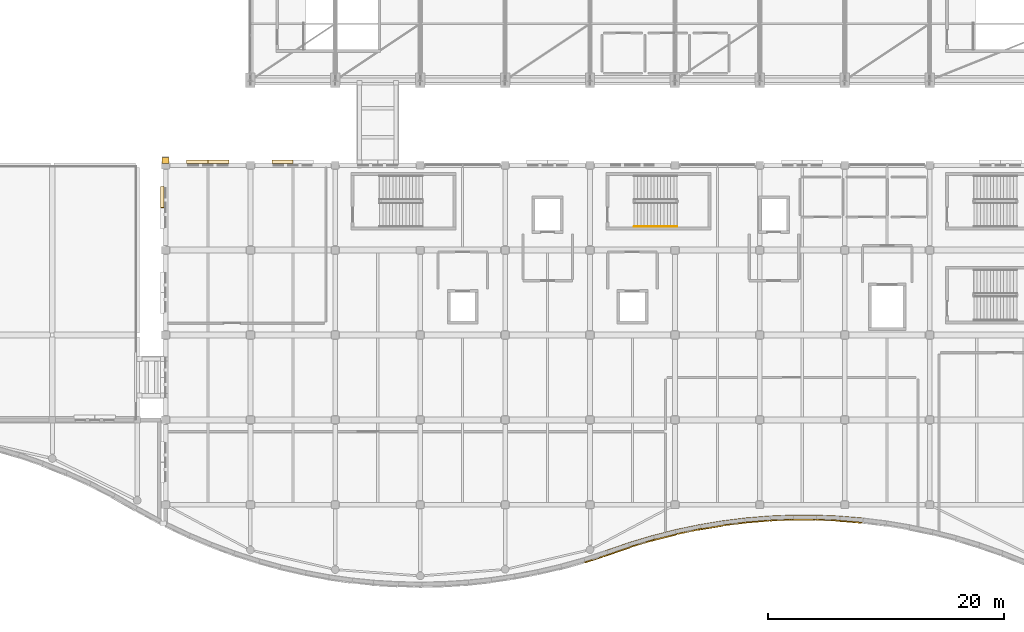
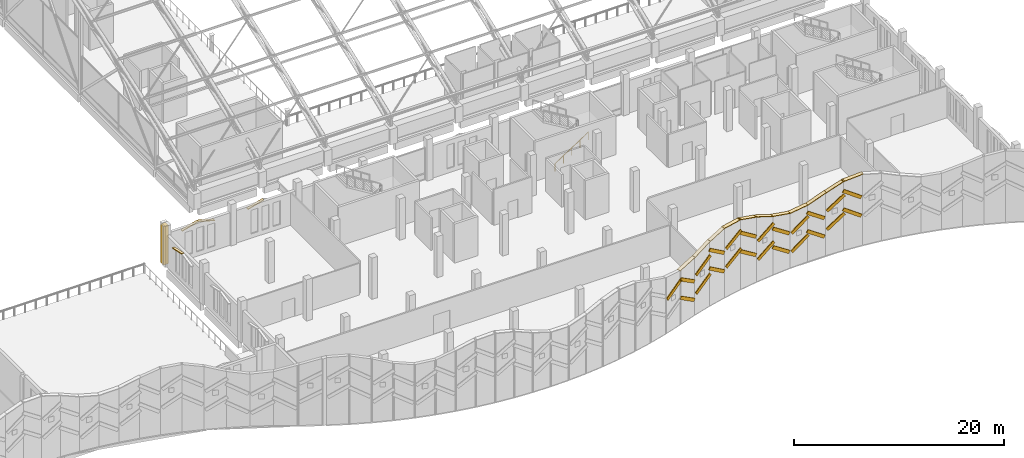
# One storey, part 111 of 116: 39 coverings, 1 railing.
"""IFC4 building model written with IfcOpenShell, lengths in metres."""

from ifc_helpers import new_model, si_unit, direction, frame, origin, origin_2d, place, context, subcontext, project, spatial, polyline, circle, outline, extrude, material, layer, layer_set, type_object, element, save


model = new_model("IFC4")

# Units and contexts
model_context = context("Model", 3, precision=1e-05, world=origin(), true_north=direction((0.0, 1.0)))
body_context = subcontext(model_context, "Body", "Model", "MODEL_VIEW")
ifc_project = project(units=[si_unit("LENGTHUNIT", "METRE"), si_unit("AREAUNIT", "SQUARE_METRE"), si_unit("VOLUMEUNIT", "CUBIC_METRE"), si_unit("PLANEANGLEUNIT", "RADIAN"), si_unit("MASSUNIT", "GRAM", prefix="KILO")], contexts=[model_context])

# Site, building, storey
site_placement = place(None, origin())
site = spatial("IfcSite", under=ifc_project, at=site_placement, CompositionType="ELEMENT")
building_placement = place(site_placement, origin())
building = spatial("IfcBuilding", under=site, at=building_placement, Name="Cendralis Lancet Convention Centre", CompositionType="ELEMENT")
storey_placement = place(building_placement, frame((0.0, 0.0, 15.0)))
storey = spatial("IfcBuildingStorey", under=building, at=storey_placement, Name="L03", CompositionType="ELEMENT", Elevation=15.0)

# Coverings
ifc_material_1 = material(Name="Warm buff sandstone chevron cassette", Category="masonry")
ifc_layer_1 = layer(ifc_material_1, 0.06005859375, Name="Warm buff sandstone chevron cassette")
ifc_layer_set_1 = layer_set([ifc_layer_1], Name="Warm buff sandstone chevron cassette")
covering_type_1 = type_object("IfcCoveringType", Name="ARC-CV-CLAD1", PredefinedType="CLADDING", material=ifc_layer_set_1)
covering_1_placement = place(storey_placement, frame((169.539306640625, 2.909423828125, 3.31201171875), z_axis=(0.514522159667, 0.17754637904, 0.838894648035), x_axis=(0.793084635802, 0.273424590897, -0.544293811786)))
element("IfcCovering", 1, at=covering_1_placement, inside=storey, type_object=covering_type_1, Name="L03 Diagonal Stone Chevron Relief CL-ST1 #0509", PredefinedType="CLADDING", context=body_context, shape_type="SweptSolid", body=[
    extrude(outline(polyline([(0.0, 0.0), (2.3885056195295804, 1.9618638311125203e-16), (2.388480090784282, 0.1100218552492794), (-2.552874529859056e-05, 0.11002185524927931), (0.0, 0.0)])), origin(), (0.0, 0.0, -1.0), 0.360107421875),
])
covering_2_placement = place(storey_placement, frame((171.49951171875, 3.58349609375, 2.60009765625), z_axis=(-0.526531417747, -0.157837543052, 0.835375350443), x_axis=(0.80020128206, 0.239853881442, 0.549679928455)))
element("IfcCovering", 2, at=covering_2_placement, inside=storey, type_object=covering_type_1, Name="L03 Diagonal Stone Chevron Relief CL-ST1 #0515", PredefinedType="CLADDING", context=body_context, shape_type="SweptSolid", body=[
    extrude(outline(polyline([(0.0, 0.0), (2.3645596781375353, 2.3093506273941244e-16), (2.364655115490347, 0.11007054501933335), (-9.992428831576833e-05, 0.11014064466524069), (0.0, 0.0)])), origin(), (0.0, 0.0, -1.0), 0.360107421875),
])
covering_3_placement = place(storey_placement, frame((173.4580078125, 4.1689453125, 4.595947265625), z_axis=(0.53729207941, 0.13663097552, 0.832255488376), x_axis=(0.806641328387, 0.204887729162, -0.554392267061)))
element("IfcCovering", 3, at=covering_3_placement, inside=storey, type_object=covering_type_1, Name="L03 Diagonal Stone Chevron Relief CL-ST1 #0521", PredefinedType="CLADDING", context=body_context, shape_type="SweptSolid", body=[
    extrude(outline(polyline([(0.0, 0.0), (2.3450231653887803, 4.9087253359281213e-17), (2.3449728388418096, 0.10984075095593482), (-3.0512871817059417e-07, 0.11007737259819038), (0.0, 0.0)])), origin(), (0.0, 0.0, -1.0), 0.360107421875),
])
covering_4_placement = place(storey_placement, frame((175.41650390625, 4.664794921875, 3.626953125), z_axis=(-0.546472617656, -0.114493130539, 0.829613766286), x_axis=(0.812035786702, 0.169873194888, 0.558337692418)))
element("IfcCovering", 4, at=covering_4_placement, inside=storey, type_object=covering_type_1, Name="L03 Diagonal Stone Chevron Relief CL-ST1 #0527", PredefinedType="CLADDING", context=body_context, shape_type="SweptSolid", body=[
    extrude(outline(polyline([(0.0, 0.0), (2.3283075976710568, 5.64327230778705e-17), (2.3283995556212016, 0.11022286772289225), (-0.00014776592231336913, 0.11003391817299688), (0.0, 0.0)])), origin(), (0.0, 0.0, -1.0), 0.360107421875),
])
covering_5_placement = place(storey_placement, frame((177.375, 5.072998046875, 4.6689453125), z_axis=(0.553593347687, 0.092680234613, 0.827613907271), x_axis=(0.816436027079, 0.13556318949, -0.561297457097)))
element("IfcCovering", 5, at=covering_5_placement, inside=storey, type_object=covering_type_1, Name="L03 Diagonal Stone Chevron Relief CL-ST1 #0533", PredefinedType="CLADDING", context=body_context, shape_type="SweptSolid", body=[
    extrude(outline(polyline([(0.0, 0.0), (2.3160498658322064, -1.8865117801247777e-17), (2.3160277352949628, 0.11013446218138472), (-0.00022145573916698344, 0.11017455377341297), (0.0, 0.0)])), origin(), (0.0, 0.0, -1.0), 0.360107421875),
])
covering_6_placement = place(storey_placement, frame((179.334228515625, 5.39697265625, 2.708984375), z_axis=(-0.559621487397, -0.069483204811, 0.825830415456), x_axis=(0.81961520542, 0.101128219842, 0.563918432218)))
element("IfcCovering", 6, at=covering_6_placement, inside=storey, type_object=covering_type_1, Name="L03 Diagonal Stone Chevron Relief CL-ST1 #0539", PredefinedType="CLADDING", context=body_context, shape_type="SweptSolid", body=[
    extrude(outline(polyline([(0.0, 0.0), (2.305484568228546, -2.1358782797964437e-17), (2.3053151011303066, 0.1099837772044363), (3.063427027140235e-05, 0.10995382173086979), (0.0, 0.0)])), origin(), (0.0, 0.0, -1.0), 0.360107421875),
])
covering_7_placement = place(storey_placement, frame((181.29248046875, 5.63720703125, 3.412109375), z_axis=(0.56372015037, 0.04582580287, 0.824693632726), x_axis=(0.821922877014, 0.067546590766, -0.565579563206)))
element("IfcCovering", 7, at=covering_7_placement, inside=storey, type_object=covering_type_1, Name="L03 Diagonal Stone Chevron Relief CL-ST1 #0545", PredefinedType="CLADDING", context=body_context, shape_type="SweptSolid", body=[
    extrude(outline(polyline([(0.0, 0.0), (2.29871385522789, -4.380176776841438e-17), (2.2986936581586126, 0.10999067963624164), (0.00018046769561864875, 0.10997075205301722), (0.0, 0.0)])), origin(), (0.0, 0.0, -1.0), 0.360107421875),
])
covering_8_placement = place(storey_placement, frame((183.250732421875, 5.796875, 1.9990234375), z_axis=(-0.566129438513, -0.02327421025, 0.823987724415), x_axis=(0.823310188219, 0.033409062922, 0.566607596569)))
element("IfcCovering", 8, at=covering_8_placement, inside=storey, type_object=covering_type_1, Name="L03 Diagonal Stone Chevron Relief CL-ST1 #0551", PredefinedType="CLADDING", context=body_context, shape_type="SweptSolid", body=[
    extrude(outline(polyline([(0.0, 0.0), (2.294543489727777, -1.6263032587282567e-18), (2.2943948531893668, 0.10996104298841451), (5.23669255104919e-05, 0.1099511025582232), (0.0, 0.0)])), origin(), (0.0, 0.0, -1.0), 0.360107421875),
])
covering_9_placement = place(storey_placement, frame((185.208984375, 5.875, 3.757080078125), z_axis=(0.56694897815, 0.0, 0.823752909661), x_axis=(0.823752909661, 0.0, -0.56694897815)))
element("IfcCovering", 9, at=covering_9_placement, inside=storey, type_object=covering_type_1, Name="L03 Diagonal Stone Chevron Relief CL-ST1 #0557", PredefinedType="CLADDING", context=body_context, shape_type="SweptSolid", body=[
    extrude(outline(polyline([(0.0, 0.0), (2.293061418626595, 0.0), (2.293061418626595, 0.110107421875), (0.0, 0.110107421875), (0.0, 0.0)])), origin(), (0.0, 0.0, -1.0), 0.360107421875),
])
covering_10_placement = place(storey_placement, frame((187.1669921875, 5.87353515625, 3.174072265625), z_axis=(-0.565914812039, 0.023265386717, 0.824135393789), x_axis=(0.823423354599, -0.034251680165, 0.566392797894)))
element("IfcCovering", 10, at=covering_10_placement, inside=storey, type_object=covering_type_1, Name="L03 Diagonal Stone Chevron Relief CL-ST1 #0563", PredefinedType="CLADDING", context=body_context, shape_type="SweptSolid", body=[
    extrude(outline(polyline([(0.0, 0.0), (2.295212616638772, -1.9949319973733282e-17), (2.295269205423734, 0.10996112890130944), (-0.0001444423074694356, 0.10995102016854641), (0.0, 0.0)])), origin(), (0.0, 0.0, -1.0), 0.360107421875),
])
covering_11_placement = place(storey_placement, frame((189.1259765625, 5.79052734375, 4.9599609375), z_axis=(0.563628151376, -0.046445972385, 0.824721818934), x_axis=(0.821916092115, -0.06797083589, -0.565538595492)))
element("IfcCovering", 11, at=covering_11_placement, inside=storey, type_object=covering_type_1, Name="L03 Diagonal Stone Chevron Relief CL-ST1 #0569", PredefinedType="CLADDING", context=body_context, shape_type="SweptSolid", body=[
    extrude(outline(polyline([(0.0, 0.0), (2.298780027549156, -6.288372600415926e-18), (2.2987536579430996, 0.10999069985551012), (-2.6369606056305013e-05, 0.10999069985551013), (0.0, 0.0)])), origin(), (0.0, 0.0, -1.0), 0.360107421875),
])
covering_12_placement = place(storey_placement, frame((133.800048828125, 36.419921875, 3.27001953125), z_axis=(-0.261446137658, 0.0, 0.965218067125), x_axis=(0.0, -1.0, 0.0)))
element("IfcCovering", 12, at=covering_12_placement, inside=storey, type_object=covering_type_1, Name="L03 Gothic Pointed Lancet Hood-Mould #0375L", PredefinedType="CLADDING", context=body_context, shape_type="SweptSolid", body=[
    extrude(outline(polyline([(0.0, 0.0), (0.284912109375, 0.0), (0.284912109375, 1.854543676158746), (0.0, 1.854543676158746), (0.0, 0.0)])), origin(), (0.0, 0.0, -1.0), 0.090087890625),
])
covering_13_placement = place(storey_placement, frame((135.610107421875, 36.419921875, 3.7548828125), z_axis=(0.261479362569, 0.0, 0.965209066965), x_axis=(0.0, -1.0, 0.0)))
element("IfcCovering", 13, at=covering_13_placement, inside=storey, type_object=covering_type_1, Name="L03 Gothic Pointed Lancet Hood-Mould #0376R", PredefinedType="CLADDING", context=body_context, shape_type="SweptSolid", body=[
    extrude(outline(polyline([(0.0, 0.0), (0.284912109375, 0.0), (0.284912109375, 1.8543080283151592), (0.0, 1.8543080283151592), (0.0, 0.0)])), origin(), (0.0, 0.0, -1.0), 0.090087890625),
])
covering_14_placement = place(storey_placement, frame((141.0400390625, 36.419921875, 3.27001953125), z_axis=(-0.267005870064, 0.0, 0.963694902628), x_axis=(0.0, -1.0, 0.0)))
element("IfcCovering", 14, at=covering_14_placement, inside=storey, type_object=covering_type_1, Name="L03 Gothic Pointed Lancet Hood-Mould #0377L", PredefinedType="CLADDING", context=body_context, shape_type="SweptSolid", body=[
    extrude(outline(polyline([(0.0, 0.0), (0.284912109375, 0.0), (0.284912109375, 1.8159274218714019), (0.0, 1.8159274218714019), (0.0, 0.0)])), origin(), (0.0, 0.0, -1.0), 0.090087890625),
])
covering_15_placement = place(storey_placement, frame((131.580078125, 32.409912109375, 3.655029296875), z_axis=(0.0, 0.210275726475, 0.977642122075), x_axis=(1.0, 0.0, 0.0)))
element("IfcCovering", 15, at=covering_15_placement, inside=storey, type_object=covering_type_1, Name="L03 Gothic Pointed Lancet Hood-Mould #0404R", PredefinedType="CLADDING", context=body_context, shape_type="SweptSolid", body=[
    extrude(outline(polyline([(0.0, 0.0), (0.284912109375, 0.0), (0.284912109375, 1.830975795826503), (0.0, 1.830975795826503), (0.0, 0.0)])), origin(), (0.0, 0.0, -1.0), 0.090087890625),
])
covering_16_placement = place(storey_placement, origin())
element("IfcCovering", 16, at=covering_16_placement, inside=storey, type_object=covering_type_1, Name="Gothic Stepped Stone Buttress Shaft #0080", PredefinedType="CLADDING", context=body_context, shape_type="SweptSolid", body=[
    extrude(outline(polyline([(132.280029296875, 36.659912109375), (131.719970703125, 36.659912109375), (131.719970703125, 36.1298828125), (132.280029296875, 36.1298828125), (132.280029296875, 36.659912109375)])), origin(), (0.0, 0.0, 1.0), 4.5),
])
ifc_material_2 = material(Name="Dark Andean slate chevron cassette", Category="masonry")
ifc_layer_2 = layer(ifc_material_2, 0.06005859375, Name="Dark Andean slate chevron cassette")
ifc_layer_set_2 = layer_set([ifc_layer_2], Name="Dark Andean slate chevron cassette")
covering_type_2 = type_object("IfcCoveringType", Name="ARC-CV-CLAD2", PredefinedType="CLADDING", material=ifc_layer_set_2)
covering_17_placement = place(storey_placement, frame((167.566162109375, 2.265380859375, 4.0849609375), z_axis=(-0.520138372777, -0.169333262549, 0.83712742122), x_axis=(0.795856404909, 0.259605417438, 0.547007870147)))
element("IfcCovering", 17, at=covering_17_placement, inside=storey, type_object=covering_type_2, Name="L03 Diagonal Stone Chevron Relief CL-ST2 #0504", PredefinedType="CLADDING", context=body_context, shape_type="SweptSolid", body=[
    extrude(outline(polyline([(0.0, 0.0), (2.378374450188147, 1.1275702593849246e-17), (2.378493365808535, 0.10986456487655995), (-1.2005030849963905e-05, 0.11017235355925142), (0.0, 0.0)])), origin(), (0.0, 0.0, -1.0), 0.360107421875),
])
covering_18_placement = place(storey_placement, frame((169.40625, 2.911376953125, 6.298583984375), z_axis=(-0.180038039811, -0.06211644547, 0.981696415101), x_axis=(0.92812349848, 0.319866576928, 0.190452473164)))
element("IfcCovering", 18, at=covering_18_placement, inside=storey, type_object=covering_type_2, Name="Wave Ribbon Sinusoidal Slate Coping E-019", PredefinedType="CLADDING", context=body_context, shape_type="SweptSolid", body=[
    extrude(outline(polyline([(0.0, 0.0), (2.2958791351480508, 4.4049101389012635e-17), (2.295738942627957, 0.4199358326751765), (-0.00014019252009375704, 0.4199358326751763), (0.0, 0.0)])), origin(), (0.0, 0.0, -1.0), 0.06005859375),
])
covering_19_placement = place(storey_placement, frame((169.539306640625, 2.909423828125, 5.4619140625), z_axis=(0.514454155494, 0.177522912811, 0.838941319355), x_axis=(0.793128758512, 0.273439802683, -0.544221872705)))
element("IfcCovering", 19, at=covering_19_placement, inside=storey, type_object=covering_type_2, Name="L03 Diagonal Stone Chevron Relief CL-ST2 #0510", PredefinedType="CLADDING", context=body_context, shape_type="SweptSolid", body=[
    extrude(outline(polyline([(0.0, 0.0), (2.388372744079569, -1.5577274713185485e-16), (2.3883472139139967, 0.11002185524894965), (-2.5530165572509866e-05, 0.11002185524894975), (0.0, 0.0)])), origin(), (0.0, 0.0, -1.0), 0.360107421875),
])
covering_20_placement = place(storey_placement, frame((171.36669921875, 3.5908203125, 6.680419921875), z_axis=(-0.341205206958, -0.10227874529, 0.934407868656), x_axis=(0.895073736671, 0.268255607978, 0.356204905512)))
element("IfcCovering", 20, at=covering_20_placement, inside=storey, type_object=covering_type_2, Name="Wave Ribbon Sinusoidal Slate Coping E-020", PredefinedType="CLADDING", context=body_context, shape_type="SweptSolid", body=[
    extrude(outline(polyline([(0.0, 0.0), (2.3817433694679315, 1.0740377771184528e-17), (2.3817235491634996, 0.42003115582492845), (-1.982030443216376e-05, 0.4200311558249284), (0.0, 0.0)])), origin(), (0.0, 0.0, -1.0), 0.06005859375),
])
covering_21_placement = place(storey_placement, frame((171.49951171875, 3.58349609375, 4.75), z_axis=(-0.526600427836, -0.157858230104, 0.835327940746), x_axis=(0.800155868582, 0.239840269118, 0.549751972514)))
element("IfcCovering", 21, at=covering_21_placement, inside=storey, type_object=covering_type_2, Name="L03 Diagonal Stone Chevron Relief CL-ST2 #0516", PredefinedType="CLADDING", context=body_context, shape_type="SweptSolid", body=[
    extrude(outline(polyline([(0.0, 0.0), (2.364693891677105, 2.6156377411212794e-18), (2.364789323613613, 0.11007054501910996), (-9.991861734520019e-05, 0.11014064466546918), (0.0, 0.0)])), origin(), (0.0, 0.0, -1.0), 0.360107421875),
])
covering_22_placement = place(storey_placement, frame((173.32568359375, 4.181884765625, 7.4619140625), z_axis=(-0.285750762238, -0.072509041648, 0.955556874686), x_axis=(0.926172378988, 0.235146053658, 0.294806814456)))
element("IfcCovering", 22, at=covering_22_placement, inside=storey, type_object=covering_type_2, Name="Wave Ribbon Sinusoidal Slate Coping E-021", PredefinedType="CLADDING", context=body_context, shape_type="SweptSolid", body=[
    extrude(outline(polyline([(0.0, 0.0), (2.30387896563342, -6.436772772774879e-17), (2.3039320796804463, 0.4198805644217821), (5.311404702644518e-05, 0.4198805644217822), (0.0, 0.0)])), origin(), (0.0, 0.0, -1.0), 0.06005859375),
])
covering_23_placement = place(storey_placement, frame((173.4580078125, 4.1689453125, 6.74609375), z_axis=(0.53729207941, 0.13663097552, 0.832255488376), x_axis=(0.806641328387, 0.204887729162, -0.554392267061)))
element("IfcCovering", 23, at=covering_23_placement, inside=storey, type_object=covering_type_2, Name="L03 Diagonal Stone Chevron Relief CL-ST2 #0522", PredefinedType="CLADDING", context=body_context, shape_type="SweptSolid", body=[
    extrude(outline(polyline([(0.0, 0.0), (2.3450231653887803, 4.9087253359281213e-17), (2.3449728388418096, 0.10984075095593482), (-3.0512871817059417e-07, 0.11007737259819038), (0.0, 0.0)])), origin(), (0.0, 0.0, -1.0), 0.360107421875),
])
covering_24_placement = place(storey_placement, frame((175.284912109375, 4.683349609375, 8.10888671875), z_axis=(-0.020585538554, -0.004315139614, 0.999778783118), x_axis=(0.978591313179, 0.204735578269, 0.021032944653)))
element("IfcCovering", 24, at=covering_24_placement, inside=storey, type_object=covering_type_2, Name="Wave Ribbon Sinusoidal Slate Coping E-022", PredefinedType="CLADDING", context=body_context, shape_type="SweptSolid", body=[
    extrude(outline(polyline([(0.0, 0.0), (2.1822164351090816, -6.069838100024316e-18), (2.1820533443504253, 0.4200683731208305), (-0.00016309075865614253, 0.4200683731208305), (0.0, 0.0)])), origin(), (0.0, 0.0, -1.0), 0.06005859375),
])
covering_25_placement = place(storey_placement, frame((175.41650390625, 4.664794921875, 5.777099609375), z_axis=(-0.546401979585, -0.114478330944, 0.829662333995), x_axis=(0.812083325348, 0.169883139696, 0.558265520643)))
element("IfcCovering", 25, at=covering_25_placement, inside=storey, type_object=covering_type_2, Name="L03 Diagonal Stone Chevron Relief CL-ST2 #0528", PredefinedType="CLADDING", context=body_context, shape_type="SweptSolid", body=[
    extrude(outline(polyline([(0.0, 0.0), (2.3281712865492166, -7.155734338404329e-17), (2.3282632498826463, 0.11022286772603472), (-0.000147774573075396, 0.11003391816902637), (0.0, 0.0)])), origin(), (0.0, 0.0, -1.0), 0.360107421875),
])
covering_26_placement = place(storey_placement, frame((177.244140625, 5.09716796875, 8.18017578125), z_axis=(0.268439351262, 0.04452897901, 0.962266846941), x_axis=(0.949285281537, 0.157527582451, -0.272107543123)))
element("IfcCovering", 26, at=covering_26_placement, inside=storey, type_object=covering_type_2, Name="Wave Ribbon Sinusoidal Slate Coping E-023", PredefinedType="CLADDING", context=body_context, shape_type="SweptSolid", body=[
    extrude(outline(polyline([(0.0, 0.0), (2.251909041913493, -6.310056643865636e-17), (2.252049457759969, 0.4199481087369005), (-9.13432554620619e-05, 0.4199880746160869), (0.0, 0.0)])), origin(), (0.0, 0.0, -1.0), 0.06005859375),
])
covering_27_placement = place(storey_placement, frame((177.375, 5.072998046875, 6.819091796875), z_axis=(0.553593347687, 0.092680234613, 0.827613907271), x_axis=(0.816436027079, 0.13556318949, -0.561297457097)))
element("IfcCovering", 27, at=covering_27_placement, inside=storey, type_object=covering_type_2, Name="L03 Diagonal Stone Chevron Relief CL-ST2 #0534", PredefinedType="CLADDING", context=body_context, shape_type="SweptSolid", body=[
    extrude(outline(polyline([(0.0, 0.0), (2.3160498658322064, -1.8865117801247777e-17), (2.3160277352949628, 0.11013446218138472), (-0.00022145573916698344, 0.11017455377341297), (0.0, 0.0)])), origin(), (0.0, 0.0, -1.0), 0.360107421875),
])
covering_28_placement = place(storey_placement, frame((179.20458984375, 5.42626953125, 7.632568359375), z_axis=(0.359889375205, 0.04438003133, 0.931938866254), x_axis=(0.924916766976, 0.114188558311, -0.3626154262)))
element("IfcCovering", 28, at=covering_28_placement, inside=storey, type_object=covering_type_2, Name="Wave Ribbon Sinusoidal Slate Coping E-024", PredefinedType="CLADDING", context=body_context, shape_type="SweptSolid", body=[
    extrude(outline(polyline([(0.0, 0.0), (2.311247021806003, 4.8457060846524014e-17), (2.3114148313693677, 0.4198898299776605), (-5.80001941977229e-05, 0.4199197395576279), (0.0, 0.0)])), origin(), (0.0, 0.0, -1.0), 0.06005859375),
])
covering_29_placement = place(storey_placement, frame((179.334228515625, 5.39697265625, 4.85791015625), z_axis=(-0.559908077303, -0.069518788122, 0.825633140728), x_axis=(0.819419415464, 0.101104062285, 0.564207222702)))
element("IfcCovering", 29, at=covering_29_placement, inside=storey, type_object=covering_type_2, Name="L03 Diagonal Stone Chevron Relief CL-ST2 #0540", PredefinedType="CLADDING", context=body_context, shape_type="SweptSolid", body=[
    extrude(outline(polyline([(0.0, 0.0), (2.3060353869524493, -1.5720931501039814e-17), (2.3058659603351286, 0.10998377724506843), (3.062695090816532e-05, 0.10995382171116794), (0.0, 0.0)])), origin(), (0.0, 0.0, -1.0), 0.360107421875),
])
covering_30_placement = place(storey_placement, frame((181.164306640625, 5.671630859375, 6.853759765625), z_axis=(0.21503720752, 0.017679443884, 0.976445818592), x_axis=(0.973154428158, 0.08010553062, -0.21576274683)))
element("IfcCovering", 30, at=covering_30_placement, inside=storey, type_object=covering_type_2, Name="Wave Ribbon Sinusoidal Slate Coping E-025", PredefinedType="CLADDING", context=body_context, shape_type="SweptSolid", body=[
    extrude(outline(polyline([(0.0, 0.0), (2.197418695840093, 9.06833473330454e-18), (2.1974592746104262, 0.420113876973424), (4.057877033302598e-05, 0.42011387697342406), (0.0, 0.0)])), origin(), (0.0, 0.0, -1.0), 0.06005859375),
])
covering_31_placement = place(storey_placement, frame((181.29248046875, 5.63720703125, 5.56201171875), z_axis=(0.56372015037, 0.04582580287, 0.824693632726), x_axis=(0.821922877014, 0.067546590766, -0.565579563206)))
element("IfcCovering", 31, at=covering_31_placement, inside=storey, type_object=covering_type_2, Name="L03 Diagonal Stone Chevron Relief CL-ST2 #0546", PredefinedType="CLADDING", context=body_context, shape_type="SweptSolid", body=[
    extrude(outline(polyline([(0.0, 0.0), (2.29871385522789, -4.380176776841438e-17), (2.2986936581586126, 0.10999067963624164), (0.00018046769561864875, 0.10997075205301722), (0.0, 0.0)])), origin(), (0.0, 0.0, -1.0), 0.360107421875),
])
covering_32_placement = place(storey_placement, frame((183.1240234375, 5.836669921875, 6.390869140625), z_axis=(-0.105392964923, -0.00426108846, 0.994421523334), x_axis=(0.993601370791, 0.040379233659, 0.105479066417)))
element("IfcCovering", 32, at=covering_32_placement, inside=storey, type_object=covering_type_2, Name="Wave Ribbon Sinusoidal Slate Coping E-026", PredefinedType="CLADDING", context=body_context, shape_type="SweptSolid", body=[
    extrude(outline(polyline([(0.0, 0.0), (2.152445934344691, -3.9302328752599536e-18), (2.1526542859253976, 0.42001563645656126), (-3.4226878958563967e-05, 0.4200255494044808), (0.0, 0.0)])), origin(), (0.0, 0.0, -1.0), 0.06005859375),
])
covering_33_placement = place(storey_placement, frame((183.250732421875, 5.796875, 4.14892578125), z_axis=(-0.566129438513, -0.02327421025, 0.823987724415), x_axis=(0.823310188219, 0.033409062922, 0.566607596569)))
element("IfcCovering", 33, at=covering_33_placement, inside=storey, type_object=covering_type_2, Name="L03 Diagonal Stone Chevron Relief CL-ST2 #0552", PredefinedType="CLADDING", context=body_context, shape_type="SweptSolid", body=[
    extrude(outline(polyline([(0.0, 0.0), (2.294543489727777, -1.6263032587282567e-18), (2.2943948531893668, 0.10996104298841451), (5.23669255104919e-05, 0.1099511025582232), (0.0, 0.0)])), origin(), (0.0, 0.0, -1.0), 0.360107421875),
])
covering_34_placement = place(storey_placement, frame((185.083984375, 5.919921875, 6.572509765625), z_axis=(-0.341949748567, 0.0, 0.939718239397), x_axis=(0.939718239397, 0.0, 0.341949748567)))
element("IfcCovering", 34, at=covering_34_placement, inside=storey, type_object=covering_type_2, Name="Wave Ribbon Sinusoidal Slate Coping E-027", PredefinedType="CLADDING", context=body_context, shape_type="SweptSolid", body=[
    extrude(outline(polyline([(0.0, 0.0), (2.2761248275846437, 0.0), (2.2761248275846437, 0.420166015625), (0.0, 0.420166015625), (0.0, 0.0)])), origin(), (0.0, 0.0, -1.0), 0.06005859375),
])
covering_35_placement = place(storey_placement, frame((185.208984375, 5.875, 5.906982421875), z_axis=(0.56694897815, 0.0, 0.823752909661), x_axis=(0.823752909661, 0.0, -0.56694897815)))
element("IfcCovering", 35, at=covering_35_placement, inside=storey, type_object=covering_type_2, Name="L03 Diagonal Stone Chevron Relief CL-ST2 #0558", PredefinedType="CLADDING", context=body_context, shape_type="SweptSolid", body=[
    extrude(outline(polyline([(0.0, 0.0), (2.293061418626595, 0.0), (2.293061418626595, 0.110107421875), (0.0, 0.110107421875), (0.0, 0.0)])), origin(), (0.0, 0.0, -1.0), 0.360107421875),
])
covering_36_placement = place(storey_placement, frame((187.0439453125, 5.923583984375, 7.279541015625), z_axis=(-0.348885970994, 0.014410066283, 0.937054389688), x_axis=(0.936247394654, -0.038881238067, 0.349183426483)))
element("IfcCovering", 36, at=covering_36_placement, inside=storey, type_object=covering_type_2, Name="Wave Ribbon Sinusoidal Slate Coping E-028", PredefinedType="CLADDING", context=body_context, shape_type="SweptSolid", body=[
    extrude(outline(polyline([(0.0, 0.0), (2.2856059096605454, 3.8014838672773e-18), (2.2855172174691116, 0.4200355459697917), (-8.86921914334815e-05, 0.4200355459697917), (0.0, 0.0)])), origin(), (0.0, 0.0, -1.0), 0.06005859375),
])
covering_37_placement = place(storey_placement, frame((187.1669921875, 5.87353515625, 5.323974609375), z_axis=(-0.565914812039, 0.023265386717, 0.824135393789), x_axis=(0.823423354599, -0.034251680165, 0.566392797894)))
element("IfcCovering", 37, at=covering_37_placement, inside=storey, type_object=covering_type_2, Name="L03 Diagonal Stone Chevron Relief CL-ST2 #0564", PredefinedType="CLADDING", context=body_context, shape_type="SweptSolid", body=[
    extrude(outline(polyline([(0.0, 0.0), (2.295212616638772, -1.9949319973733282e-17), (2.295269205423734, 0.10996112890130944), (-0.0001444423074694356, 0.10995102016854641), (0.0, 0.0)])), origin(), (0.0, 0.0, -1.0), 0.360107421875),
])
covering_38_placement = place(storey_placement, frame((189.005126953125, 5.845703125, 8.029296875), z_axis=(-0.12487225296, 0.010339276921, 0.992118954457), x_axis=(0.988737713604, -0.0818398039, 0.125299561834)))
element("IfcCovering", 38, at=covering_38_placement, inside=storey, type_object=covering_type_2, Name="Wave Ribbon Sinusoidal Slate Coping E-029", PredefinedType="CLADDING", context=body_context, shape_type="SweptSolid", body=[
    extrude(outline(polyline([(0.0, 0.0), (2.1627856457314536, 6.173514932768243e-17), (2.1627967520895393, 0.42013395395206765), (1.1106358085863355e-05, 0.42013395395206765), (0.0, 0.0)])), origin(), (0.0, 0.0, -1.0), 0.06005859375),
])
covering_39_placement = place(storey_placement, frame((189.1259765625, 5.79052734375, 7.110107421875), z_axis=(0.563628151376, -0.046445972385, 0.824721818934), x_axis=(0.821916092115, -0.06797083589, -0.565538595492)))
element("IfcCovering", 39, at=covering_39_placement, inside=storey, type_object=covering_type_2, Name="L03 Diagonal Stone Chevron Relief CL-ST2 #0570", PredefinedType="CLADDING", context=body_context, shape_type="SweptSolid", body=[
    extrude(outline(polyline([(0.0, 0.0), (2.298780027549156, -6.288372600415926e-18), (2.2987536579430996, 0.10999069985551012), (-2.6369606056305013e-05, 0.10999069985551013), (0.0, 0.0)])), origin(), (0.0, 0.0, -1.0), 0.360107421875),
])

# Railing
ifc_material_3 = material(Name="Steel S355", Category="steel")
railing_type = type_object("IfcRailingType", Name="ARC-RL-CHR", PredefinedType="HANDRAIL", material=ifc_material_3)
railing_placement = place(storey_placement, frame((171.75, 30.800048828125, 0.17138671875)))
element("IfcRailing", 40, at=railing_placement, inside=storey, type_object=railing_type, Name="L03 ST-14 stair handrail 1", PredefinedType="HANDRAIL", context=body_context, shape_type="SweptSolid", body=[
    extrude(circle(Radius=0.02392578125, at=origin_2d()), frame((0.0, 0.0, 0.8759765625), z_axis=(0.834839479206, 0.0, 0.550493454965), x_axis=(0.0, 1.0, 0.0)), (0.0, 0.0, 1.0), 4.360107421875),
    extrude(circle(Radius=0.02099609375, at=origin_2d()), origin(), (0.0, 0.0, 1.0), 0.851806640625),
    extrude(circle(Radius=0.02099609375, at=origin_2d()), frame((0.909912109375, 0.0, 0.60009765625)), (0.0, 0.0, 1.0), 0.851806640625),
    extrude(circle(Radius=0.02099609375, at=origin_2d()), frame((1.81982421875, 0.0, 1.2001953125)), (0.0, 0.0, 1.0), 0.851806640625),
    extrude(circle(Radius=0.02099609375, at=origin_2d()), frame((2.72998046875, 0.0, 1.800048828125)), (0.0, 0.0, 1.0), 0.851806640625),
    extrude(circle(Radius=0.02099609375, at=origin_2d()), frame((3.639892578125, 0.0, 2.400146484375)), (0.0, 0.0, 1.0), 0.851806640625),
])

save(model, "model.ifc")
